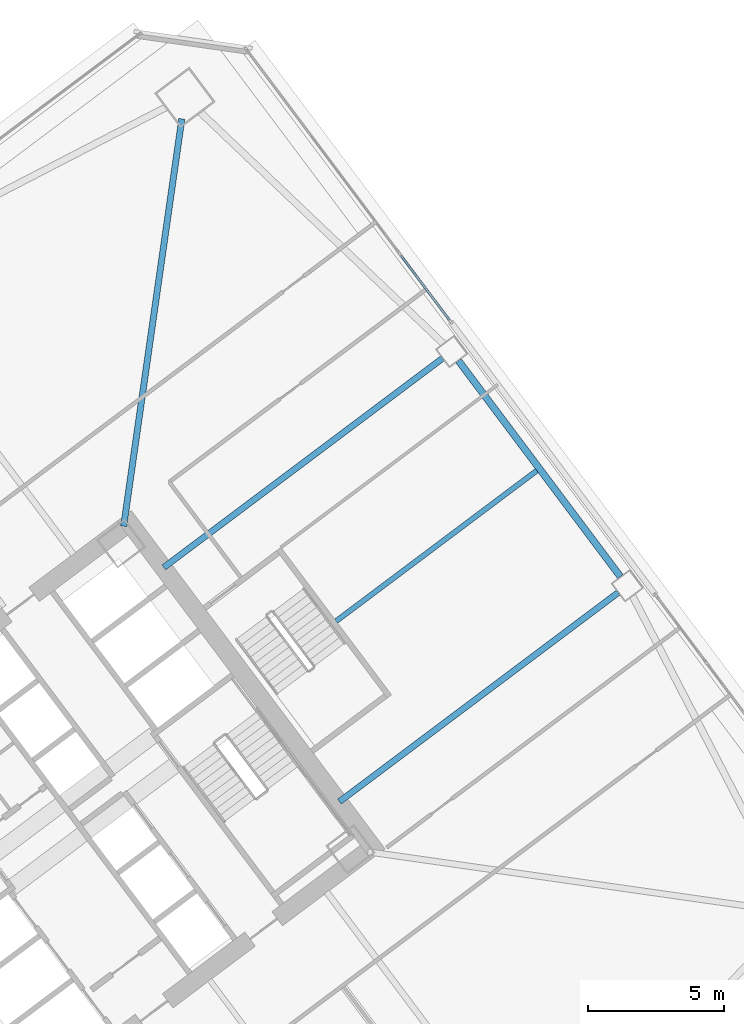
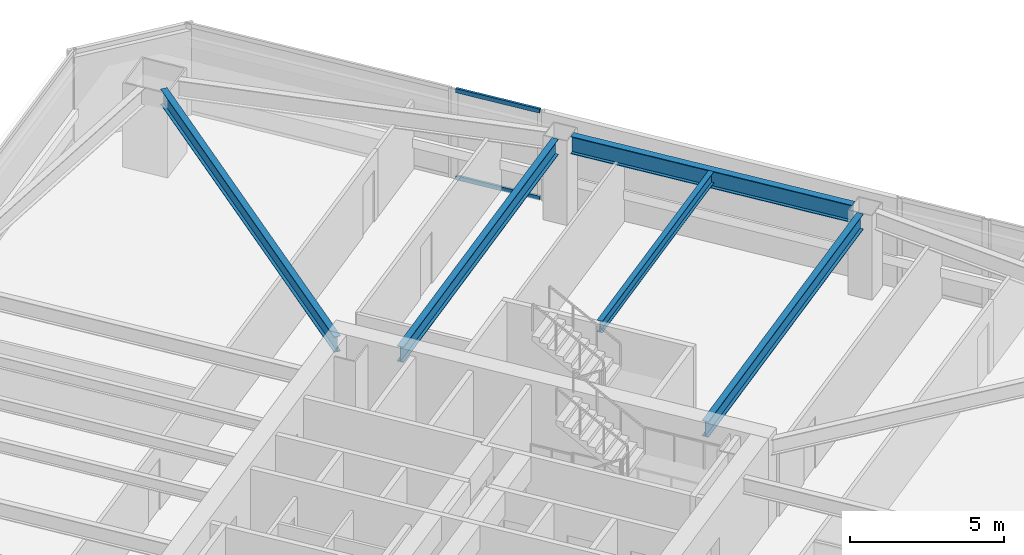
# One storey, part 29 of 46: 5 beams, 2 members, 1 element without a shape of its own.
"""IFC4 building model written with IfcOpenShell, lengths in metres."""

from ifc_helpers import new_model, si_unit, direction, frame, origin, origin_2d, place, context, subcontext, project, spatial, hollow_rectangle, i_section, extrude, material, material_profile, profile_set, type_object, element, aggregate, save


model = new_model("IFC4")

# Units and contexts
model_context = context("Model", 3, precision=1e-05, world=origin(), true_north=direction((0.0, 1.0)))
body_context = subcontext(model_context, "Body", "Model", "MODEL_VIEW")
ifc_project = project(units=[si_unit("LENGTHUNIT", "METRE"), si_unit("AREAUNIT", "SQUARE_METRE"), si_unit("VOLUMEUNIT", "CUBIC_METRE"), si_unit("PLANEANGLEUNIT", "RADIAN"), si_unit("MASSUNIT", "GRAM", prefix="KILO")], contexts=[model_context])

# Site, building, storey
site_placement = place(None, origin())
site = spatial("IfcSite", under=ifc_project, at=site_placement, CompositionType="ELEMENT")
building_placement = place(site_placement, origin())
building = spatial("IfcBuilding", under=site, at=building_placement, Name="Tashvorn Skyway Center", CompositionType="ELEMENT")
storey_placement = place(building_placement, frame((0.0, 0.0, 31.699951171875)))
storey = spatial("IfcBuildingStorey", under=building, at=storey_placement, Name="L07", CompositionType="ELEMENT", Elevation=31.699951171875)

# Beams
ifc_material_1 = material(Name="Steel ASTM A992 Grade 50", Category="steel")
ifc_material_profile_1 = material_profile(ifc_material_1, i_section(OverallWidth=0.22998046875, OverallDepth=0.616943359375, WebThickness=0.01318359375, FlangeThickness=0.022216796875, at=origin_2d()), Name="W24X94")
ifc_profile_set_1 = profile_set([ifc_material_profile_1], Name="Steel ASTM A992 Grade 50")
beam_type_1 = type_object("IfcBeamType", Name="BM-BEAM-W24X94", PredefinedType="BEAM", material=ifc_profile_set_1)
beam_1_placement = place(storey_placement, frame((117.6474609375, 57.532958984375, 3.04150390625), z_axis=(-0.141414599991, -0.989950458816, 0.0), x_axis=(0.989950458816, -0.141414599991, 0.0)))
element("IfcBeam", 1, at=beam_1_placement, inside=storey, type_object=beam_type_1, Name="Tower 2 L07 Primary Floor Girder MC-NE", PredefinedType="BEAM", context=body_context, shape_type="SweptSolid", body=[
    extrude(i_section(OverallWidth=0.22998046875, OverallDepth=0.616943359375, WebThickness=0.01318359375, FlangeThickness=0.022216796875, at=origin_2d()), origin(), (0.0, 0.0, 1.0), 15.177001953125),
])
beam_2_placement = place(storey_placement, frame((133.743896484375, 40.05810546875, 3.04150390625), z_axis=(-0.799986320265, -0.600018239213, 0.0), x_axis=(0.600018239213, -0.799986320265, 0.0)))
element("IfcBeam", 2, at=beam_2_placement, inside=storey, type_object=beam_type_1, Name="Tower 2 L07 Primary Floor Girder FC-E1", PredefinedType="BEAM", context=body_context, shape_type="SweptSolid", body=[
    extrude(i_section(OverallWidth=0.22998046875, OverallDepth=0.616943359375, WebThickness=0.01318359375, FlangeThickness=0.022216796875, at=origin_2d()), origin(), (0.0, 0.0, 1.0), 12.849853515625),
])
beam_3_placement = place(storey_placement, frame((127.263916015625, 48.697998046875, 3.04150390625), z_axis=(-0.800002279907, -0.599996960112, 0.0), x_axis=(0.599996960112, -0.800002279907, 0.0)))
element("IfcBeam", 3, at=beam_3_placement, inside=storey, type_object=beam_type_1, Name="Tower 2 L07 Primary Floor Girder FC-E2", PredefinedType="BEAM", context=body_context, shape_type="SweptSolid", body=[
    extrude(i_section(OverallWidth=0.22998046875, OverallDepth=0.616943359375, WebThickness=0.01318359375, FlangeThickness=0.022216796875, at=origin_2d()), origin(), (0.0, 0.0, 1.0), 12.85009765625),
])
ifc_material_profile_2 = material_profile(ifc_material_1, i_section(OverallWidth=0.19091796875, OverallDepth=0.4599609375, WebThickness=0.010009765625, FlangeThickness=0.01611328125, at=origin_2d()), Name="W18X55")
ifc_profile_set_2 = profile_set([ifc_material_profile_2], Name="Steel ASTM A992 Grade 50")
beam_type_2 = type_object("IfcBeamType", Name="BM-JOIST-W18X55", PredefinedType="JOIST", material=ifc_profile_set_2)
beam_4_placement = place(storey_placement, frame((123.3359375, 39.001953125, 3.1201171875), z_axis=(0.799990508532, 0.600012655082, 0.0), x_axis=(-0.600012655082, 0.799990508532, 0.0)))
element("IfcBeam", 4, at=beam_4_placement, inside=storey, type_object=beam_type_2, Name="Tower 2 L07 Secondary Composite Joist JE", PredefinedType="JOIST", context=body_context, shape_type="SweptSolid", body=[
    extrude(i_section(OverallWidth=0.19091796875, OverallDepth=0.4599609375, WebThickness=0.010009765625, FlangeThickness=0.01611328125, at=origin_2d()), origin(), (0.0, 0.0, 1.0), 9.260009765625),
])
ifc_material_profile_3 = material_profile(ifc_material_1, i_section(OverallWidth=0.256103515625, OverallDepth=0.693115234375, WebThickness=0.014404296875, FlangeThickness=0.023681640625, at=origin_2d()), Name="W27X114")
ifc_profile_set_3 = profile_set([ifc_material_profile_3], Name="Steel ASTM A992 Grade 50")
beam_type_3 = type_object("IfcBeamType", Name="BM-SPANDREL-W27X114", PredefinedType="SPANDREL", material=ifc_profile_set_3)
beam_5_placement = place(storey_placement, frame((133.827880859375, 40.64599609375, 3.003662109375), z_axis=(-0.599988234018, 0.800008824351, 0.0), x_axis=(-0.800008824351, -0.599988234018, 0.0)))
element("IfcBeam", 5, at=beam_5_placement, inside=storey, type_object=beam_type_3, Name="Tower 2 L07 Spandrel Beam 05", PredefinedType="SPANDREL", context=body_context, shape_type="SweptSolid", body=[
    extrude(i_section(OverallWidth=0.256103515625, OverallDepth=0.693115234375, WebThickness=0.014404296875, FlangeThickness=0.023681640625, at=origin_2d()), origin(), (0.0, 0.0, 1.0), 9.9599609375),
])

# Curtain wall, members
ifc_material_2 = material(Name="Thermally broken bronze-anodized aluminium 6063-T6", Category="aluminium")
curtain_wall_type = type_object("IfcCurtainWallType", Name="CW-CW-Z1", PredefinedType="NOTDEFINED", material=ifc_material_2)
curtain_wall_placement = place(storey_placement, origin())
curtain_wall = element("IfcCurtainWall", 6, at=curtain_wall_placement, inside=storey, type_object=curtain_wall_type, Name="Tower 2 L07 East Unitised Curtain Wall Glazing Group 2", PredefinedType="NOTDEFINED")
ifc_material_profile_4 = material_profile(ifc_material_2, hollow_rectangle(XDim=0.0849609375, YDim=0.1650390625, WallThickness=0.0048828125, at=origin_2d()), Name="ALU-TRAN-85x165")
ifc_profile_set_4 = profile_set([ifc_material_profile_4], Name="Thermally broken bronze-anodized aluminium 6063-T6")
member_type = type_object("IfcMemberType", Name="CWT-CW-Z1", PredefinedType="USERDEFINED", material=ifc_profile_set_4)
member_1_placement = place(storey_placement, frame((125.73095703125, 52.491943359375, 0.04248046875), z_axis=(0.600026244674, -0.799980315822, 0.0), x_axis=(0.799980315822, 0.600026244674, 0.0)))
member_1 = element("IfcMember", 7, at=member_1_placement, type_object=member_type, Name="CW-Z1 transom 1.1", ObjectType="TRANSOM", PredefinedType="USERDEFINED", context=body_context, shape_type="SweptSolid", body=[
    extrude(hollow_rectangle(XDim=0.0849609375, YDim=0.1650390625, WallThickness=0.0048828125, at=origin_2d()), origin(), (0.0, 0.0, 1.0), 2.976806640625),
])
member_2_placement = place(storey_placement, frame((125.73095703125, 52.491943359375, 3.507568359375), z_axis=(0.600026244674, -0.799980315822, 0.0), x_axis=(0.799980315822, 0.600026244674, 0.0)))
member_2 = element("IfcMember", 8, at=member_2_placement, type_object=member_type, Name="CW-Z1 transom 1.2", ObjectType="TRANSOM", PredefinedType="USERDEFINED", context=body_context, shape_type="SweptSolid", body=[
    extrude(hollow_rectangle(XDim=0.0849609375, YDim=0.1650390625, WallThickness=0.0048828125, at=origin_2d()), origin(), (0.0, 0.0, 1.0), 2.976806640625),
])
aggregate(curtain_wall, [member_1, member_2])

save(model, "model.ifc")
